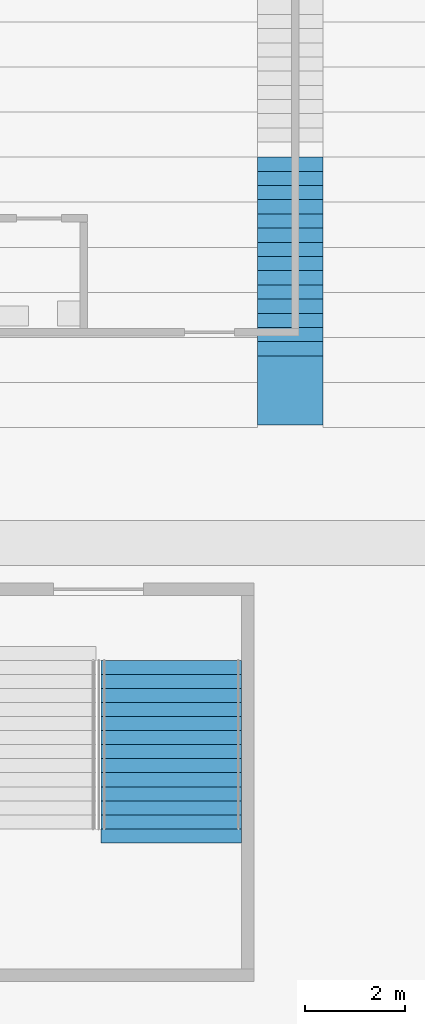
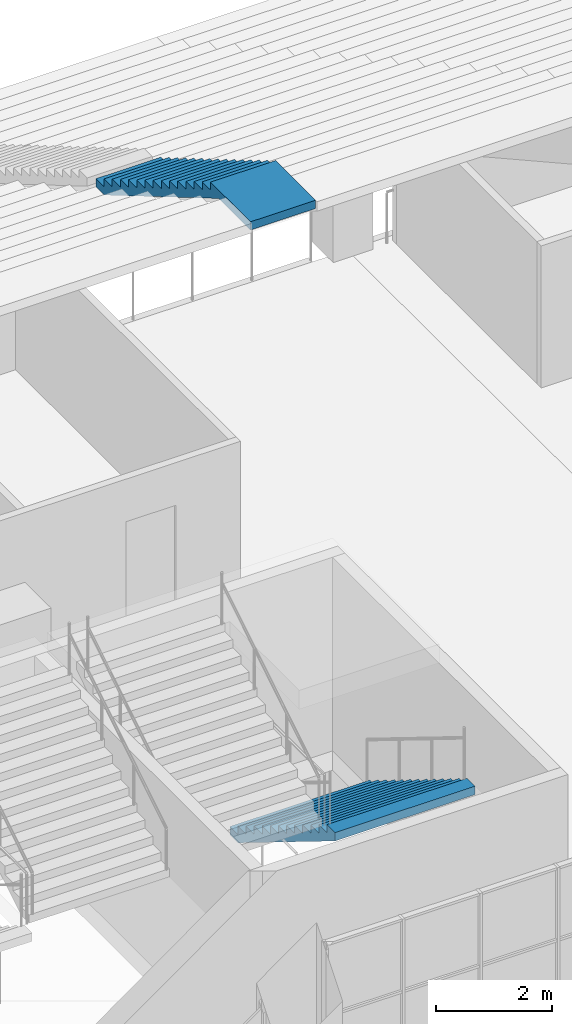
# One storey, part 145 of 249: 2 stair flights, 2 elements without a shape of their own.
"""IFC4 building model written with IfcOpenShell, lengths in metres."""

from ifc_helpers import new_model, si_unit, direction, frame, origin, place, context, subcontext, project, spatial, faceted_brep, material, type_object, element, aggregate, save


model = new_model("IFC4")

# Units and contexts
model_context = context("Model", 3, precision=1e-05, world=origin(), true_north=direction((0.0, 1.0)))
body_context = subcontext(model_context, "Body", "Model", "MODEL_VIEW")
ifc_project = project(units=[si_unit("LENGTHUNIT", "METRE"), si_unit("AREAUNIT", "SQUARE_METRE"), si_unit("VOLUMEUNIT", "CUBIC_METRE"), si_unit("PLANEANGLEUNIT", "RADIAN"), si_unit("MASSUNIT", "GRAM", prefix="KILO")], contexts=[model_context])

# Site, building, storey
site_placement = place(None, origin())
site = spatial("IfcSite", under=ifc_project, at=site_placement, CompositionType="ELEMENT")
building_placement = place(site_placement, origin())
building = spatial("IfcBuilding", under=site, at=building_placement, Name="Ogive Plaza Stadium", CompositionType="ELEMENT")
storey_placement = place(building_placement, frame((0.0, 0.0, 13.5)))
storey = spatial("IfcBuildingStorey", under=building, at=storey_placement, Name="L03", CompositionType="ELEMENT", Elevation=13.5)

# Stair, stair flight
ifc_material_1 = material(Name="Concrete C40/50", Category="concrete")
stair_type_1 = type_object("IfcStairType", Name="Aisle stair", PredefinedType="STRAIGHT_RUN_STAIR", material=ifc_material_1)
stair_1_placement = place(storey_placement, origin())
stair_1 = element("IfcStair", 1, at=stair_1_placement, inside=storey, type_object=stair_type_1, Name="Aisle stair SA15U", PredefinedType="STRAIGHT_RUN_STAIR")
ifc_material_2 = material(Name="Concrete C40/50", Category="concrete")
stair_flight_type_1 = type_object("IfcStairFlightType", Name="Aisle stair flight", PredefinedType="STRAIGHT", material=ifc_material_2)
stair_flight_1_placement = place(storey_placement, frame((-13.60009765625, -84.800048828125, 6.5), z_axis=(0.0, 0.0, 1.0), x_axis=(0.0, -1.0, 0.0)))
stair_flight_1 = element("IfcStairFlight", 2, at=stair_flight_1_placement, type_object=stair_flight_type_1, Name="SA15U flight 3", NumberOfRisers=15, NumberOfTreads=14, PredefinedType="STRAIGHT", RiserHeight=0.166666667, TreadLength=0.283333333, context=body_context, shape_type="Brep", body=[
    faceted_brep([(0.295654296875, -0.64990234375, 0.0), (4.25, -0.64990234375, 2.326171875), (5.35009765625, -0.64990234375, 2.326171875), (5.35009765625, -0.64990234375, 2.5), (3.966552734375, -0.64990234375, 2.5), (3.966552734375, -0.64990234375, 2.333251953125), (3.683349609375, -0.64990234375, 2.333251953125), (3.683349609375, -0.64990234375, 2.166748046875), (3.39990234375, -0.64990234375, 2.166748046875), (3.39990234375, -0.64990234375, 2.0), (3.11669921875, -0.64990234375, 2.0), (3.11669921875, -0.64990234375, 1.833251953125), (2.833251953125, -0.64990234375, 1.833251953125), (2.833251953125, -0.64990234375, 1.666748046875), (2.550048828125, -0.64990234375, 1.666748046875), (2.550048828125, -0.64990234375, 1.5), (2.2666015625, -0.64990234375, 1.5), (2.2666015625, -0.64990234375, 1.333251953125), (1.9833984375, -0.64990234375, 1.333251953125), (1.9833984375, -0.64990234375, 1.166748046875), (1.699951171875, -0.64990234375, 1.166748046875), (1.699951171875, -0.64990234375, 1.0), (1.416748046875, -0.64990234375, 1.0), (1.416748046875, -0.64990234375, 0.833251953125), (1.13330078125, -0.64990234375, 0.833251953125), (1.13330078125, -0.64990234375, 0.666748046875), (0.85009765625, -0.64990234375, 0.666748046875), (0.85009765625, -0.64990234375, 0.5), (0.566650390625, -0.64990234375, 0.5), (0.566650390625, -0.64990234375, 0.333251953125), (0.283447265625, -0.64990234375, 0.333251953125), (0.283447265625, -0.64990234375, 0.166748046875), (0.0, -0.64990234375, 0.166748046875), (0.0, -0.64990234375, 0.0), (0.0, 0.64990234375, 0.0), (0.0, 0.64990234375, 0.166748046875), (0.283447265625, 0.64990234375, 0.166748046875), (0.283447265625, 0.64990234375, 0.333251953125), (0.566650390625, 0.64990234375, 0.333251953125), (0.566650390625, 0.64990234375, 0.5), (0.85009765625, 0.64990234375, 0.5), (0.85009765625, 0.64990234375, 0.666748046875), (1.13330078125, 0.64990234375, 0.666748046875), (1.13330078125, 0.64990234375, 0.833251953125), (1.416748046875, 0.64990234375, 0.833251953125), (1.416748046875, 0.64990234375, 1.0), (1.699951171875, 0.64990234375, 1.0), (1.699951171875, 0.64990234375, 1.166748046875), (1.9833984375, 0.64990234375, 1.166748046875), (1.9833984375, 0.64990234375, 1.333251953125), (2.2666015625, 0.64990234375, 1.333251953125), (2.2666015625, 0.64990234375, 1.5), (2.550048828125, 0.64990234375, 1.5), (2.550048828125, 0.64990234375, 1.666748046875), (2.833251953125, 0.64990234375, 1.666748046875), (2.833251953125, 0.64990234375, 1.833251953125), (3.11669921875, 0.64990234375, 1.833251953125), (3.11669921875, 0.64990234375, 2.0), (3.39990234375, 0.64990234375, 2.0), (3.39990234375, 0.64990234375, 2.166748046875), (3.683349609375, 0.64990234375, 2.166748046875), (3.683349609375, 0.64990234375, 2.333251953125), (3.966552734375, 0.64990234375, 2.333251953125), (3.966552734375, 0.64990234375, 2.5), (5.35009765625, 0.64990234375, 2.5), (5.35009765625, 0.64990234375, 2.326171875), (4.25, 0.64990234375, 2.326171875), (0.295654296875, 0.64990234375, 0.0), (0.295654296875, -0.324951171875, 0.0), (4.25, -0.324951171875, 2.326171875), (0.295654296875, 0.0, 0.0), (4.25, 0.0, 2.326171875), (0.295654296875, 0.324951171875, 0.0), (4.25, 0.324951171875, 2.326171875), (5.35009765625, -0.324951171875, 2.326171875), (5.35009765625, 0.0, 2.326171875), (5.35009765625, 0.324951171875, 2.326171875), (5.35009765625, -0.324951171875, 2.5), (5.35009765625, 0.0, 2.5), (5.35009765625, 0.324951171875, 2.5), (3.966552734375, -0.324951171875, 2.5), (3.966552734375, 0.0, 2.5), (3.966552734375, 0.324951171875, 2.5), (3.966552734375, -0.324951171875, 2.333251953125), (3.966552734375, 0.0, 2.333251953125), (3.966552734375, 0.324951171875, 2.333251953125), (3.683349609375, -0.324951171875, 2.333251953125), (3.683349609375, 0.0, 2.333251953125), (3.683349609375, 0.324951171875, 2.333251953125), (3.683349609375, -0.324951171875, 2.166748046875), (3.683349609375, 0.0, 2.166748046875), (3.683349609375, 0.324951171875, 2.166748046875), (3.39990234375, -0.324951171875, 2.166748046875), (3.39990234375, 0.0, 2.166748046875), (3.39990234375, 0.324951171875, 2.166748046875), (3.39990234375, -0.324951171875, 2.0), (3.39990234375, 0.0, 2.0), (3.39990234375, 0.324951171875, 2.0), (3.11669921875, -0.324951171875, 2.0), (3.11669921875, 0.0, 2.0), (3.11669921875, 0.324951171875, 2.0), (3.11669921875, -0.324951171875, 1.833251953125), (3.11669921875, 0.0, 1.833251953125), (3.11669921875, 0.324951171875, 1.833251953125), (2.833251953125, -0.324951171875, 1.833251953125), (2.833251953125, 0.0, 1.833251953125), (2.833251953125, 0.324951171875, 1.833251953125), (2.833251953125, -0.324951171875, 1.666748046875), (2.833251953125, 0.0, 1.666748046875), (2.833251953125, 0.324951171875, 1.666748046875), (2.550048828125, -0.324951171875, 1.666748046875), (2.550048828125, 0.0, 1.666748046875), (2.550048828125, 0.324951171875, 1.666748046875), (2.550048828125, -0.324951171875, 1.5), (2.550048828125, 0.0, 1.5), (2.550048828125, 0.324951171875, 1.5), (2.2666015625, -0.324951171875, 1.5), (2.2666015625, 0.0, 1.5), (2.2666015625, 0.324951171875, 1.5), (2.2666015625, -0.324951171875, 1.333251953125), (2.2666015625, 0.0, 1.333251953125), (2.2666015625, 0.324951171875, 1.333251953125), (1.9833984375, -0.324951171875, 1.333251953125), (1.9833984375, 0.0, 1.333251953125), (1.9833984375, 0.324951171875, 1.333251953125), (1.9833984375, -0.324951171875, 1.166748046875), (1.9833984375, 0.0, 1.166748046875), (1.9833984375, 0.324951171875, 1.166748046875), (1.699951171875, -0.324951171875, 1.166748046875), (1.699951171875, 0.0, 1.166748046875), (1.699951171875, 0.324951171875, 1.166748046875), (1.699951171875, -0.324951171875, 1.0), (1.699951171875, 0.0, 1.0), (1.699951171875, 0.324951171875, 1.0), (1.416748046875, -0.324951171875, 1.0), (1.416748046875, 0.0, 1.0), (1.416748046875, 0.324951171875, 1.0), (1.416748046875, -0.324951171875, 0.833251953125), (1.416748046875, 0.0, 0.833251953125), (1.416748046875, 0.324951171875, 0.833251953125), (1.13330078125, -0.324951171875, 0.833251953125), (1.13330078125, 0.0, 0.833251953125), (1.13330078125, 0.324951171875, 0.833251953125), (1.13330078125, -0.324951171875, 0.666748046875), (1.13330078125, 0.0, 0.666748046875), (1.13330078125, 0.324951171875, 0.666748046875), (0.85009765625, -0.324951171875, 0.666748046875), (0.85009765625, 0.0, 0.666748046875), (0.85009765625, 0.324951171875, 0.666748046875), (0.85009765625, -0.324951171875, 0.5), (0.85009765625, 0.0, 0.5), (0.85009765625, 0.324951171875, 0.5), (0.566650390625, -0.324951171875, 0.5), (0.566650390625, 0.0, 0.5), (0.566650390625, 0.324951171875, 0.5), (0.566650390625, -0.324951171875, 0.333251953125), (0.566650390625, 0.0, 0.333251953125), (0.566650390625, 0.324951171875, 0.333251953125), (0.283447265625, -0.324951171875, 0.333251953125), (0.283447265625, 0.0, 0.333251953125), (0.283447265625, 0.324951171875, 0.333251953125), (0.283447265625, -0.324951171875, 0.166748046875), (0.283447265625, 0.0, 0.166748046875), (0.283447265625, 0.324951171875, 0.166748046875), (0.0, -0.324951171875, 0.166748046875), (0.0, 0.0, 0.166748046875), (0.0, 0.324951171875, 0.166748046875), (0.0, -0.324951171875, 0.0), (0.0, 0.0, 0.0), (0.0, 0.324951171875, 0.0)], [[[0, 1, 2, 3, 4, 5, 6, 7, 8, 9, 10, 11, 12, 13, 14, 15, 16, 17, 18, 19, 20, 21, 22, 23, 24, 25, 26, 27, 28, 29, 30, 31, 32, 33]], [[34, 35, 36, 37, 38, 39, 40, 41, 42, 43, 44, 45, 46, 47, 48, 49, 50, 51, 52, 53, 54, 55, 56, 57, 58, 59, 60, 61, 62, 63, 64, 65, 66, 67]], [[0, 68, 69, 1]], [[68, 70, 71, 69]], [[70, 72, 73, 71]], [[72, 67, 66, 73]], [[1, 69, 74, 2]], [[69, 71, 75, 74]], [[71, 73, 76, 75]], [[73, 66, 65, 76]], [[2, 74, 77, 3]], [[74, 75, 78, 77]], [[75, 76, 79, 78]], [[76, 65, 64, 79]], [[3, 77, 80, 4]], [[77, 78, 81, 80]], [[78, 79, 82, 81]], [[79, 64, 63, 82]], [[4, 80, 83, 5]], [[80, 81, 84, 83]], [[81, 82, 85, 84]], [[82, 63, 62, 85]], [[5, 83, 86, 6]], [[83, 84, 87, 86]], [[84, 85, 88, 87]], [[85, 62, 61, 88]], [[6, 86, 89, 7]], [[86, 87, 90, 89]], [[87, 88, 91, 90]], [[88, 61, 60, 91]], [[7, 89, 92, 8]], [[89, 90, 93, 92]], [[90, 91, 94, 93]], [[91, 60, 59, 94]], [[8, 92, 95, 9]], [[92, 93, 96, 95]], [[93, 94, 97, 96]], [[94, 59, 58, 97]], [[9, 95, 98, 10]], [[95, 96, 99, 98]], [[96, 97, 100, 99]], [[97, 58, 57, 100]], [[10, 98, 101, 11]], [[98, 99, 102, 101]], [[99, 100, 103, 102]], [[100, 57, 56, 103]], [[11, 101, 104, 12]], [[101, 102, 105, 104]], [[102, 103, 106, 105]], [[103, 56, 55, 106]], [[12, 104, 107, 13]], [[104, 105, 108, 107]], [[105, 106, 109, 108]], [[106, 55, 54, 109]], [[13, 107, 110, 14]], [[107, 108, 111, 110]], [[108, 109, 112, 111]], [[109, 54, 53, 112]], [[14, 110, 113, 15]], [[110, 111, 114, 113]], [[111, 112, 115, 114]], [[112, 53, 52, 115]], [[15, 113, 116, 16]], [[113, 114, 117, 116]], [[114, 115, 118, 117]], [[115, 52, 51, 118]], [[16, 116, 119, 17]], [[116, 117, 120, 119]], [[117, 118, 121, 120]], [[118, 51, 50, 121]], [[17, 119, 122, 18]], [[119, 120, 123, 122]], [[120, 121, 124, 123]], [[121, 50, 49, 124]], [[18, 122, 125, 19]], [[122, 123, 126, 125]], [[123, 124, 127, 126]], [[124, 49, 48, 127]], [[19, 125, 128, 20]], [[125, 126, 129, 128]], [[126, 127, 130, 129]], [[127, 48, 47, 130]], [[20, 128, 131, 21]], [[128, 129, 132, 131]], [[129, 130, 133, 132]], [[130, 47, 46, 133]], [[21, 131, 134, 22]], [[131, 132, 135, 134]], [[132, 133, 136, 135]], [[133, 46, 45, 136]], [[22, 134, 137, 23]], [[134, 135, 138, 137]], [[135, 136, 139, 138]], [[136, 45, 44, 139]], [[23, 137, 140, 24]], [[137, 138, 141, 140]], [[138, 139, 142, 141]], [[139, 44, 43, 142]], [[24, 140, 143, 25]], [[140, 141, 144, 143]], [[141, 142, 145, 144]], [[142, 43, 42, 145]], [[25, 143, 146, 26]], [[143, 144, 147, 146]], [[144, 145, 148, 147]], [[145, 42, 41, 148]], [[26, 146, 149, 27]], [[146, 147, 150, 149]], [[147, 148, 151, 150]], [[148, 41, 40, 151]], [[27, 149, 152, 28]], [[149, 150, 153, 152]], [[150, 151, 154, 153]], [[151, 40, 39, 154]], [[28, 152, 155, 29]], [[152, 153, 156, 155]], [[153, 154, 157, 156]], [[154, 39, 38, 157]], [[29, 155, 158, 30]], [[155, 156, 159, 158]], [[156, 157, 160, 159]], [[157, 38, 37, 160]], [[30, 158, 161, 31]], [[158, 159, 162, 161]], [[159, 160, 163, 162]], [[160, 37, 36, 163]], [[31, 161, 164, 32]], [[161, 162, 165, 164]], [[162, 163, 166, 165]], [[163, 36, 35, 166]], [[32, 164, 167, 33]], [[164, 165, 168, 167]], [[165, 166, 169, 168]], [[166, 35, 34, 169]], [[33, 167, 68, 0]], [[167, 168, 70, 68]], [[168, 169, 72, 70]], [[169, 34, 67, 72]]]),
])
aggregate(stair_1, [stair_flight_1])

ifc_material_3 = material(Name="Concrete C40/50", Category="concrete")
stair_type_2 = type_object("IfcStairType", Name="Exit stair", PredefinedType="STRAIGHT_RUN_STAIR", material=ifc_material_3)
stair_2_placement = place(storey_placement, origin())
stair_2 = element("IfcStair", 3, at=stair_2_placement, inside=storey, type_object=stair_type_2, Name="Exit stair ST16B L03 to L04", PredefinedType="STRAIGHT_RUN_STAIR")
ifc_material_4 = material(Name="Concrete C40/50", Category="concrete")
stair_flight_type_2 = type_object("IfcStairFlightType", Name="Exit stair flight", PredefinedType="STRAIGHT", material=ifc_material_4)
stair_flight_2_placement = place(storey_placement, frame((-15.97509765625, -94.85009765625, 0.0), z_axis=(0.0, 0.0, 1.0), x_axis=(0.0, -1.0, 0.0)))
stair_flight_2 = element("IfcStairFlight", 4, at=stair_flight_2_placement, type_object=stair_flight_type_2, Name="ST16B flight 1", NumberOfRisers=13, NumberOfTreads=12, PredefinedType="STRAIGHT", RiserHeight=0.173076923, TreadLength=0.28, context=body_context, shape_type="Brep", body=[
    faceted_brep([(0.28515625, -1.39990234375, 0.0), (3.639892578125, -1.39990234375, 2.07373046875), (3.639892578125, -1.39990234375, 2.25), (3.360107421875, -1.39990234375, 2.25), (3.360107421875, -1.39990234375, 2.076904296875), (3.080078125, -1.39990234375, 2.076904296875), (3.080078125, -1.39990234375, 1.90380859375), (2.800048828125, -1.39990234375, 1.90380859375), (2.800048828125, -1.39990234375, 1.730712890625), (2.52001953125, -1.39990234375, 1.730712890625), (2.52001953125, -1.39990234375, 1.5576171875), (2.239990234375, -1.39990234375, 1.5576171875), (2.239990234375, -1.39990234375, 1.384521484375), (1.9599609375, -1.39990234375, 1.384521484375), (1.9599609375, -1.39990234375, 1.21142578125), (1.679931640625, -1.39990234375, 1.21142578125), (1.679931640625, -1.39990234375, 1.03857421875), (1.39990234375, -1.39990234375, 1.03857421875), (1.39990234375, -1.39990234375, 0.865478515625), (1.1201171875, -1.39990234375, 0.865478515625), (1.1201171875, -1.39990234375, 0.6923828125), (0.840087890625, -1.39990234375, 0.6923828125), (0.840087890625, -1.39990234375, 0.519287109375), (0.56005859375, -1.39990234375, 0.519287109375), (0.56005859375, -1.39990234375, 0.34619140625), (0.280029296875, -1.39990234375, 0.34619140625), (0.280029296875, -1.39990234375, 0.173095703125), (0.0, -1.39990234375, 0.173095703125), (0.0, -1.39990234375, 0.0), (0.0, 1.39990234375, 0.0), (0.0, 1.39990234375, 0.173095703125), (0.280029296875, 1.39990234375, 0.173095703125), (0.280029296875, 1.39990234375, 0.34619140625), (0.56005859375, 1.39990234375, 0.34619140625), (0.56005859375, 1.39990234375, 0.519287109375), (0.840087890625, 1.39990234375, 0.519287109375), (0.840087890625, 1.39990234375, 0.6923828125), (1.1201171875, 1.39990234375, 0.6923828125), (1.1201171875, 1.39990234375, 0.865478515625), (1.39990234375, 1.39990234375, 0.865478515625), (1.39990234375, 1.39990234375, 1.03857421875), (1.679931640625, 1.39990234375, 1.03857421875), (1.679931640625, 1.39990234375, 1.21142578125), (1.9599609375, 1.39990234375, 1.21142578125), (1.9599609375, 1.39990234375, 1.384521484375), (2.239990234375, 1.39990234375, 1.384521484375), (2.239990234375, 1.39990234375, 1.5576171875), (2.52001953125, 1.39990234375, 1.5576171875), (2.52001953125, 1.39990234375, 1.730712890625), (2.800048828125, 1.39990234375, 1.730712890625), (2.800048828125, 1.39990234375, 1.90380859375), (3.080078125, 1.39990234375, 1.90380859375), (3.080078125, 1.39990234375, 2.076904296875), (3.360107421875, 1.39990234375, 2.076904296875), (3.360107421875, 1.39990234375, 2.25), (3.639892578125, 1.39990234375, 2.25), (3.639892578125, 1.39990234375, 2.07373046875), (0.28515625, 1.39990234375, 0.0), (0.28515625, -1.0888671875, 0.0), (3.639892578125, -1.0888671875, 2.07373046875), (0.28515625, -0.77783203125, 0.0), (3.639892578125, -0.77783203125, 2.07373046875), (0.28515625, -0.466796875, 0.0), (3.639892578125, -0.466796875, 2.07373046875), (0.28515625, -0.155517578125, 0.0), (3.639892578125, -0.155517578125, 2.07373046875), (0.28515625, 0.155517578125, 0.0), (3.639892578125, 0.155517578125, 2.07373046875), (0.28515625, 0.466796875, 0.0), (3.639892578125, 0.466796875, 2.07373046875), (0.28515625, 0.77783203125, 0.0), (3.639892578125, 0.77783203125, 2.07373046875), (0.28515625, 1.0888671875, 0.0), (3.639892578125, 1.0888671875, 2.07373046875), (3.639892578125, -1.0888671875, 2.25), (3.639892578125, -0.77783203125, 2.25), (3.639892578125, -0.466796875, 2.25), (3.639892578125, -0.155517578125, 2.25), (3.639892578125, 0.155517578125, 2.25), (3.639892578125, 0.466796875, 2.25), (3.639892578125, 0.77783203125, 2.25), (3.639892578125, 1.0888671875, 2.25), (3.360107421875, -1.0888671875, 2.25), (3.360107421875, -0.77783203125, 2.25), (3.360107421875, -0.466796875, 2.25), (3.360107421875, -0.155517578125, 2.25), (3.360107421875, 0.155517578125, 2.25), (3.360107421875, 0.466796875, 2.25), (3.360107421875, 0.77783203125, 2.25), (3.360107421875, 1.0888671875, 2.25), (3.360107421875, -1.0888671875, 2.076904296875), (3.360107421875, -0.77783203125, 2.076904296875), (3.360107421875, -0.466796875, 2.076904296875), (3.360107421875, -0.155517578125, 2.076904296875), (3.360107421875, 0.155517578125, 2.076904296875), (3.360107421875, 0.466796875, 2.076904296875), (3.360107421875, 0.77783203125, 2.076904296875), (3.360107421875, 1.0888671875, 2.076904296875), (3.080078125, -1.0888671875, 2.076904296875), (3.080078125, -0.77783203125, 2.076904296875), (3.080078125, -0.466796875, 2.076904296875), (3.080078125, -0.155517578125, 2.076904296875), (3.080078125, 0.155517578125, 2.076904296875), (3.080078125, 0.466796875, 2.076904296875), (3.080078125, 0.77783203125, 2.076904296875), (3.080078125, 1.0888671875, 2.076904296875), (3.080078125, -1.0888671875, 1.90380859375), (3.080078125, -0.77783203125, 1.90380859375), (3.080078125, -0.466796875, 1.90380859375), (3.080078125, -0.155517578125, 1.90380859375), (3.080078125, 0.155517578125, 1.90380859375), (3.080078125, 0.466796875, 1.90380859375), (3.080078125, 0.77783203125, 1.90380859375), (3.080078125, 1.0888671875, 1.90380859375), (2.800048828125, -1.0888671875, 1.90380859375), (2.800048828125, -0.77783203125, 1.90380859375), (2.800048828125, -0.466796875, 1.90380859375), (2.800048828125, -0.155517578125, 1.90380859375), (2.800048828125, 0.155517578125, 1.90380859375), (2.800048828125, 0.466796875, 1.90380859375), (2.800048828125, 0.77783203125, 1.90380859375), (2.800048828125, 1.0888671875, 1.90380859375), (2.800048828125, -1.0888671875, 1.730712890625), (2.800048828125, -0.77783203125, 1.730712890625), (2.800048828125, -0.466796875, 1.730712890625), (2.800048828125, -0.155517578125, 1.730712890625), (2.800048828125, 0.155517578125, 1.730712890625), (2.800048828125, 0.466796875, 1.730712890625), (2.800048828125, 0.77783203125, 1.730712890625), (2.800048828125, 1.0888671875, 1.730712890625), (2.52001953125, -1.0888671875, 1.730712890625), (2.52001953125, -0.77783203125, 1.730712890625), (2.52001953125, -0.466796875, 1.730712890625), (2.52001953125, -0.155517578125, 1.730712890625), (2.52001953125, 0.155517578125, 1.730712890625), (2.52001953125, 0.466796875, 1.730712890625), (2.52001953125, 0.77783203125, 1.730712890625), (2.52001953125, 1.0888671875, 1.730712890625), (2.52001953125, -1.0888671875, 1.5576171875), (2.52001953125, -0.77783203125, 1.5576171875), (2.52001953125, -0.466796875, 1.5576171875), (2.52001953125, -0.155517578125, 1.5576171875), (2.52001953125, 0.155517578125, 1.5576171875), (2.52001953125, 0.466796875, 1.5576171875), (2.52001953125, 0.77783203125, 1.5576171875), (2.52001953125, 1.0888671875, 1.5576171875), (2.239990234375, -1.0888671875, 1.5576171875), (2.239990234375, -0.77783203125, 1.5576171875), (2.239990234375, -0.466796875, 1.5576171875), (2.239990234375, -0.155517578125, 1.5576171875), (2.239990234375, 0.155517578125, 1.5576171875), (2.239990234375, 0.466796875, 1.5576171875), (2.239990234375, 0.77783203125, 1.5576171875), (2.239990234375, 1.0888671875, 1.5576171875), (2.239990234375, -1.0888671875, 1.384521484375), (2.239990234375, -0.77783203125, 1.384521484375), (2.239990234375, -0.466796875, 1.384521484375), (2.239990234375, -0.155517578125, 1.384521484375), (2.239990234375, 0.155517578125, 1.384521484375), (2.239990234375, 0.466796875, 1.384521484375), (2.239990234375, 0.77783203125, 1.384521484375), (2.239990234375, 1.0888671875, 1.384521484375), (1.9599609375, -1.0888671875, 1.384521484375), (1.9599609375, -0.77783203125, 1.384521484375), (1.9599609375, -0.466796875, 1.384521484375), (1.9599609375, -0.155517578125, 1.384521484375), (1.9599609375, 0.155517578125, 1.384521484375), (1.9599609375, 0.466796875, 1.384521484375), (1.9599609375, 0.77783203125, 1.384521484375), (1.9599609375, 1.0888671875, 1.384521484375), (1.9599609375, -1.0888671875, 1.21142578125), (1.9599609375, -0.77783203125, 1.21142578125), (1.9599609375, -0.466796875, 1.21142578125), (1.9599609375, -0.155517578125, 1.21142578125), (1.9599609375, 0.155517578125, 1.21142578125), (1.9599609375, 0.466796875, 1.21142578125), (1.9599609375, 0.77783203125, 1.21142578125), (1.9599609375, 1.0888671875, 1.21142578125), (1.679931640625, -1.0888671875, 1.21142578125), (1.679931640625, -0.77783203125, 1.21142578125), (1.679931640625, -0.466796875, 1.21142578125), (1.679931640625, -0.155517578125, 1.21142578125), (1.679931640625, 0.155517578125, 1.21142578125), (1.679931640625, 0.466796875, 1.21142578125), (1.679931640625, 0.77783203125, 1.21142578125), (1.679931640625, 1.0888671875, 1.21142578125), (1.679931640625, -1.0888671875, 1.03857421875), (1.679931640625, -0.77783203125, 1.03857421875), (1.679931640625, -0.466796875, 1.03857421875), (1.679931640625, -0.155517578125, 1.03857421875), (1.679931640625, 0.155517578125, 1.03857421875), (1.679931640625, 0.466796875, 1.03857421875), (1.679931640625, 0.77783203125, 1.03857421875), (1.679931640625, 1.0888671875, 1.03857421875), (1.39990234375, -1.0888671875, 1.03857421875), (1.39990234375, -0.77783203125, 1.03857421875), (1.39990234375, -0.466796875, 1.03857421875), (1.39990234375, -0.155517578125, 1.03857421875), (1.39990234375, 0.155517578125, 1.03857421875), (1.39990234375, 0.466796875, 1.03857421875), (1.39990234375, 0.77783203125, 1.03857421875), (1.39990234375, 1.0888671875, 1.03857421875), (1.39990234375, -1.0888671875, 0.865478515625), (1.39990234375, -0.77783203125, 0.865478515625), (1.39990234375, -0.466796875, 0.865478515625), (1.39990234375, -0.155517578125, 0.865478515625), (1.39990234375, 0.155517578125, 0.865478515625), (1.39990234375, 0.466796875, 0.865478515625), (1.39990234375, 0.77783203125, 0.865478515625), (1.39990234375, 1.0888671875, 0.865478515625), (1.1201171875, -1.0888671875, 0.865478515625), (1.1201171875, -0.77783203125, 0.865478515625), (1.1201171875, -0.466796875, 0.865478515625), (1.1201171875, -0.155517578125, 0.865478515625), (1.1201171875, 0.155517578125, 0.865478515625), (1.1201171875, 0.466796875, 0.865478515625), (1.1201171875, 0.77783203125, 0.865478515625), (1.1201171875, 1.0888671875, 0.865478515625), (1.1201171875, -1.0888671875, 0.6923828125), (1.1201171875, -0.77783203125, 0.6923828125), (1.1201171875, -0.466796875, 0.6923828125), (1.1201171875, -0.155517578125, 0.6923828125), (1.1201171875, 0.155517578125, 0.6923828125), (1.1201171875, 0.466796875, 0.6923828125), (1.1201171875, 0.77783203125, 0.6923828125), (1.1201171875, 1.0888671875, 0.6923828125), (0.840087890625, -1.0888671875, 0.6923828125), (0.840087890625, -0.77783203125, 0.6923828125), (0.840087890625, -0.466796875, 0.6923828125), (0.840087890625, -0.155517578125, 0.6923828125), (0.840087890625, 0.155517578125, 0.6923828125), (0.840087890625, 0.466796875, 0.6923828125), (0.840087890625, 0.77783203125, 0.6923828125), (0.840087890625, 1.0888671875, 0.6923828125), (0.840087890625, -1.0888671875, 0.519287109375), (0.840087890625, -0.77783203125, 0.519287109375), (0.840087890625, -0.466796875, 0.519287109375), (0.840087890625, -0.155517578125, 0.519287109375), (0.840087890625, 0.155517578125, 0.519287109375), (0.840087890625, 0.466796875, 0.519287109375), (0.840087890625, 0.77783203125, 0.519287109375), (0.840087890625, 1.0888671875, 0.519287109375), (0.56005859375, -1.0888671875, 0.519287109375), (0.56005859375, -0.77783203125, 0.519287109375), (0.56005859375, -0.466796875, 0.519287109375), (0.56005859375, -0.155517578125, 0.519287109375), (0.56005859375, 0.155517578125, 0.519287109375), (0.56005859375, 0.466796875, 0.519287109375), (0.56005859375, 0.77783203125, 0.519287109375), (0.56005859375, 1.0888671875, 0.519287109375), (0.56005859375, -1.0888671875, 0.34619140625), (0.56005859375, -0.77783203125, 0.34619140625), (0.56005859375, -0.466796875, 0.34619140625), (0.56005859375, -0.155517578125, 0.34619140625), (0.56005859375, 0.155517578125, 0.34619140625), (0.56005859375, 0.466796875, 0.34619140625), (0.56005859375, 0.77783203125, 0.34619140625), (0.56005859375, 1.0888671875, 0.34619140625), (0.280029296875, -1.0888671875, 0.34619140625), (0.280029296875, -0.77783203125, 0.34619140625), (0.280029296875, -0.466796875, 0.34619140625), (0.280029296875, -0.155517578125, 0.34619140625), (0.280029296875, 0.155517578125, 0.34619140625), (0.280029296875, 0.466796875, 0.34619140625), (0.280029296875, 0.77783203125, 0.34619140625), (0.280029296875, 1.0888671875, 0.34619140625), (0.280029296875, -1.0888671875, 0.173095703125), (0.280029296875, -0.77783203125, 0.173095703125), (0.280029296875, -0.466796875, 0.173095703125), (0.280029296875, -0.155517578125, 0.173095703125), (0.280029296875, 0.155517578125, 0.173095703125), (0.280029296875, 0.466796875, 0.173095703125), (0.280029296875, 0.77783203125, 0.173095703125), (0.280029296875, 1.0888671875, 0.173095703125), (0.0, -1.0888671875, 0.173095703125), (0.0, -0.77783203125, 0.173095703125), (0.0, -0.466796875, 0.173095703125), (0.0, -0.155517578125, 0.173095703125), (0.0, 0.155517578125, 0.173095703125), (0.0, 0.466796875, 0.173095703125), (0.0, 0.77783203125, 0.173095703125), (0.0, 1.0888671875, 0.173095703125), (0.0, -1.0888671875, 0.0), (0.0, -0.77783203125, 0.0), (0.0, -0.466796875, 0.0), (0.0, -0.155517578125, 0.0), (0.0, 0.155517578125, 0.0), (0.0, 0.466796875, 0.0), (0.0, 0.77783203125, 0.0), (0.0, 1.0888671875, 0.0)], [[[0, 1, 2, 3, 4, 5, 6, 7, 8, 9, 10, 11, 12, 13, 14, 15, 16, 17, 18, 19, 20, 21, 22, 23, 24, 25, 26, 27, 28]], [[29, 30, 31, 32, 33, 34, 35, 36, 37, 38, 39, 40, 41, 42, 43, 44, 45, 46, 47, 48, 49, 50, 51, 52, 53, 54, 55, 56, 57]], [[0, 58, 59, 1]], [[58, 60, 61, 59]], [[60, 62, 63, 61]], [[62, 64, 65, 63]], [[64, 66, 67, 65]], [[66, 68, 69, 67]], [[68, 70, 71, 69]], [[70, 72, 73, 71]], [[72, 57, 56, 73]], [[1, 59, 74, 2]], [[59, 61, 75, 74]], [[61, 63, 76, 75]], [[63, 65, 77, 76]], [[65, 67, 78, 77]], [[67, 69, 79, 78]], [[69, 71, 80, 79]], [[71, 73, 81, 80]], [[73, 56, 55, 81]], [[2, 74, 82, 3]], [[74, 75, 83, 82]], [[75, 76, 84, 83]], [[76, 77, 85, 84]], [[77, 78, 86, 85]], [[78, 79, 87, 86]], [[79, 80, 88, 87]], [[80, 81, 89, 88]], [[81, 55, 54, 89]], [[3, 82, 90, 4]], [[82, 83, 91, 90]], [[83, 84, 92, 91]], [[84, 85, 93, 92]], [[85, 86, 94, 93]], [[86, 87, 95, 94]], [[87, 88, 96, 95]], [[88, 89, 97, 96]], [[89, 54, 53, 97]], [[4, 90, 98, 5]], [[90, 91, 99, 98]], [[91, 92, 100, 99]], [[92, 93, 101, 100]], [[93, 94, 102, 101]], [[94, 95, 103, 102]], [[95, 96, 104, 103]], [[96, 97, 105, 104]], [[97, 53, 52, 105]], [[5, 98, 106, 6]], [[98, 99, 107, 106]], [[99, 100, 108, 107]], [[100, 101, 109, 108]], [[101, 102, 110, 109]], [[102, 103, 111, 110]], [[103, 104, 112, 111]], [[104, 105, 113, 112]], [[105, 52, 51, 113]], [[6, 106, 114, 7]], [[106, 107, 115, 114]], [[107, 108, 116, 115]], [[108, 109, 117, 116]], [[109, 110, 118, 117]], [[110, 111, 119, 118]], [[111, 112, 120, 119]], [[112, 113, 121, 120]], [[113, 51, 50, 121]], [[7, 114, 122, 8]], [[114, 115, 123, 122]], [[115, 116, 124, 123]], [[116, 117, 125, 124]], [[117, 118, 126, 125]], [[118, 119, 127, 126]], [[119, 120, 128, 127]], [[120, 121, 129, 128]], [[121, 50, 49, 129]], [[8, 122, 130, 9]], [[122, 123, 131, 130]], [[123, 124, 132, 131]], [[124, 125, 133, 132]], [[125, 126, 134, 133]], [[126, 127, 135, 134]], [[127, 128, 136, 135]], [[128, 129, 137, 136]], [[129, 49, 48, 137]], [[9, 130, 138, 10]], [[130, 131, 139, 138]], [[131, 132, 140, 139]], [[132, 133, 141, 140]], [[133, 134, 142, 141]], [[134, 135, 143, 142]], [[135, 136, 144, 143]], [[136, 137, 145, 144]], [[137, 48, 47, 145]], [[10, 138, 146, 11]], [[138, 139, 147, 146]], [[139, 140, 148, 147]], [[140, 141, 149, 148]], [[141, 142, 150, 149]], [[142, 143, 151, 150]], [[143, 144, 152, 151]], [[144, 145, 153, 152]], [[145, 47, 46, 153]], [[11, 146, 154, 12]], [[146, 147, 155, 154]], [[147, 148, 156, 155]], [[148, 149, 157, 156]], [[149, 150, 158, 157]], [[150, 151, 159, 158]], [[151, 152, 160, 159]], [[152, 153, 161, 160]], [[153, 46, 45, 161]], [[12, 154, 162, 13]], [[154, 155, 163, 162]], [[155, 156, 164, 163]], [[156, 157, 165, 164]], [[157, 158, 166, 165]], [[158, 159, 167, 166]], [[159, 160, 168, 167]], [[160, 161, 169, 168]], [[161, 45, 44, 169]], [[13, 162, 170, 14]], [[162, 163, 171, 170]], [[163, 164, 172, 171]], [[164, 165, 173, 172]], [[165, 166, 174, 173]], [[166, 167, 175, 174]], [[167, 168, 176, 175]], [[168, 169, 177, 176]], [[169, 44, 43, 177]], [[14, 170, 178, 15]], [[170, 171, 179, 178]], [[171, 172, 180, 179]], [[172, 173, 181, 180]], [[173, 174, 182, 181]], [[174, 175, 183, 182]], [[175, 176, 184, 183]], [[176, 177, 185, 184]], [[177, 43, 42, 185]], [[15, 178, 186, 16]], [[178, 179, 187, 186]], [[179, 180, 188, 187]], [[180, 181, 189, 188]], [[181, 182, 190, 189]], [[182, 183, 191, 190]], [[183, 184, 192, 191]], [[184, 185, 193, 192]], [[185, 42, 41, 193]], [[16, 186, 194, 17]], [[186, 187, 195, 194]], [[187, 188, 196, 195]], [[188, 189, 197, 196]], [[189, 190, 198, 197]], [[190, 191, 199, 198]], [[191, 192, 200, 199]], [[192, 193, 201, 200]], [[193, 41, 40, 201]], [[17, 194, 202, 18]], [[194, 195, 203, 202]], [[195, 196, 204, 203]], [[196, 197, 205, 204]], [[197, 198, 206, 205]], [[198, 199, 207, 206]], [[199, 200, 208, 207]], [[200, 201, 209, 208]], [[201, 40, 39, 209]], [[18, 202, 210, 19]], [[202, 203, 211, 210]], [[203, 204, 212, 211]], [[204, 205, 213, 212]], [[205, 206, 214, 213]], [[206, 207, 215, 214]], [[207, 208, 216, 215]], [[208, 209, 217, 216]], [[209, 39, 38, 217]], [[19, 210, 218, 20]], [[210, 211, 219, 218]], [[211, 212, 220, 219]], [[212, 213, 221, 220]], [[213, 214, 222, 221]], [[214, 215, 223, 222]], [[215, 216, 224, 223]], [[216, 217, 225, 224]], [[217, 38, 37, 225]], [[20, 218, 226, 21]], [[218, 219, 227, 226]], [[219, 220, 228, 227]], [[220, 221, 229, 228]], [[221, 222, 230, 229]], [[222, 223, 231, 230]], [[223, 224, 232, 231]], [[224, 225, 233, 232]], [[225, 37, 36, 233]], [[21, 226, 234, 22]], [[226, 227, 235, 234]], [[227, 228, 236, 235]], [[228, 229, 237, 236]], [[229, 230, 238, 237]], [[230, 231, 239, 238]], [[231, 232, 240, 239]], [[232, 233, 241, 240]], [[233, 36, 35, 241]], [[22, 234, 242, 23]], [[234, 235, 243, 242]], [[235, 236, 244, 243]], [[236, 237, 245, 244]], [[237, 238, 246, 245]], [[238, 239, 247, 246]], [[239, 240, 248, 247]], [[240, 241, 249, 248]], [[241, 35, 34, 249]], [[23, 242, 250, 24]], [[242, 243, 251, 250]], [[243, 244, 252, 251]], [[244, 245, 253, 252]], [[245, 246, 254, 253]], [[246, 247, 255, 254]], [[247, 248, 256, 255]], [[248, 249, 257, 256]], [[249, 34, 33, 257]], [[24, 250, 258, 25]], [[250, 251, 259, 258]], [[251, 252, 260, 259]], [[252, 253, 261, 260]], [[253, 254, 262, 261]], [[254, 255, 263, 262]], [[255, 256, 264, 263]], [[256, 257, 265, 264]], [[257, 33, 32, 265]], [[25, 258, 266, 26]], [[258, 259, 267, 266]], [[259, 260, 268, 267]], [[260, 261, 269, 268]], [[261, 262, 270, 269]], [[262, 263, 271, 270]], [[263, 264, 272, 271]], [[264, 265, 273, 272]], [[265, 32, 31, 273]], [[26, 266, 274, 27]], [[266, 267, 275, 274]], [[267, 268, 276, 275]], [[268, 269, 277, 276]], [[269, 270, 278, 277]], [[270, 271, 279, 278]], [[271, 272, 280, 279]], [[272, 273, 281, 280]], [[273, 31, 30, 281]], [[27, 274, 282, 28]], [[274, 275, 283, 282]], [[275, 276, 284, 283]], [[276, 277, 285, 284]], [[277, 278, 286, 285]], [[278, 279, 287, 286]], [[279, 280, 288, 287]], [[280, 281, 289, 288]], [[281, 30, 29, 289]], [[28, 282, 58, 0]], [[282, 283, 60, 58]], [[283, 284, 62, 60]], [[284, 285, 64, 62]], [[285, 286, 66, 64]], [[286, 287, 68, 66]], [[287, 288, 70, 68]], [[288, 289, 72, 70]], [[289, 29, 57, 72]]]),
])
aggregate(stair_2, [stair_flight_2])

save(model, "model.ifc")
